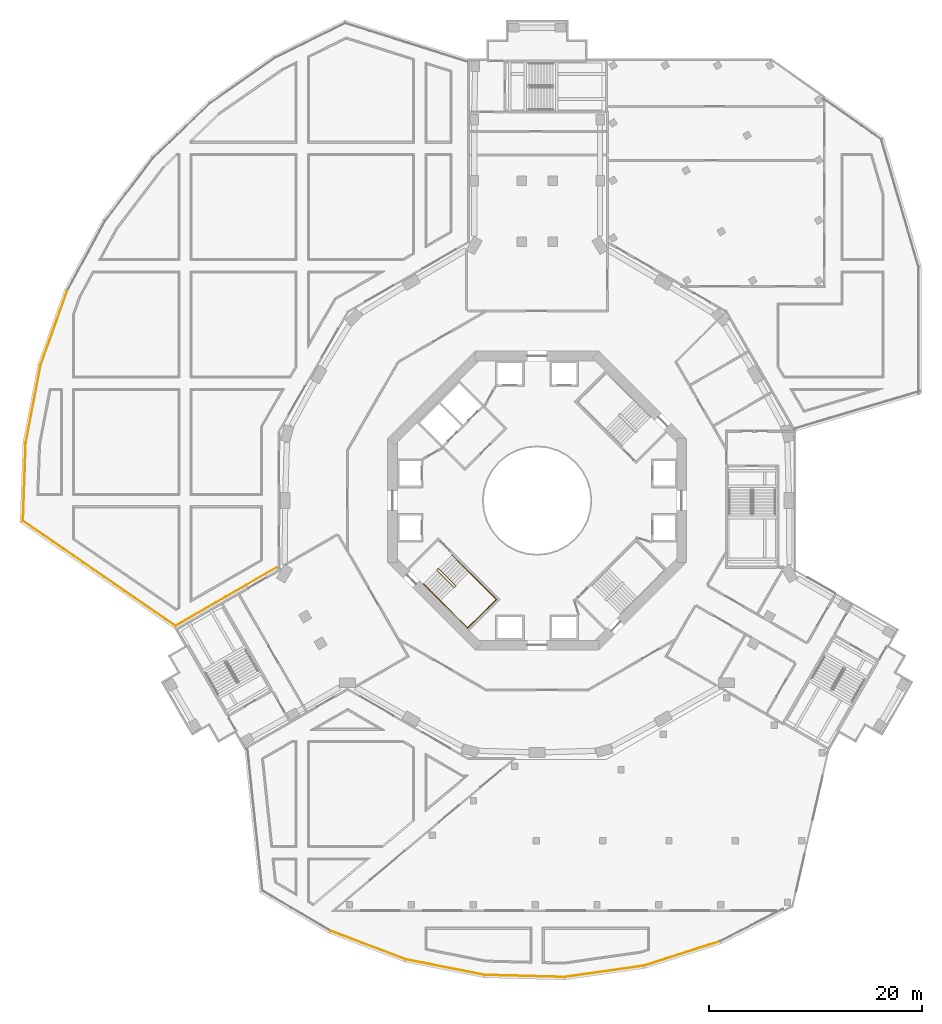
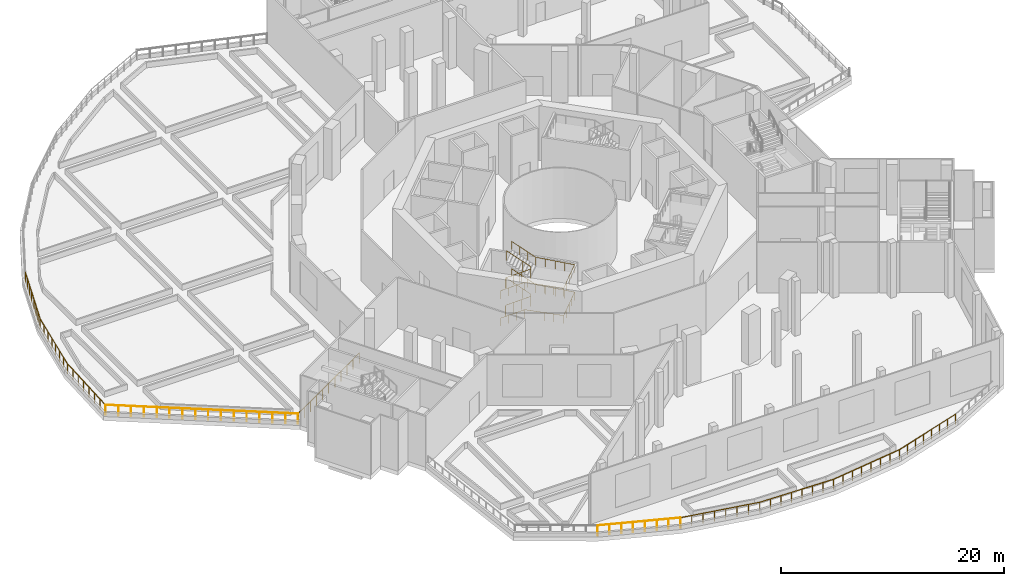
# One storey, part 24 of 29: 13 railings.
"""IFC4 building model written with IfcOpenShell, lengths in metres."""

import ifcopenshell
import ifcopenshell.guid

model = None  # the IFC model being written
_history = None  # IfcOwnerHistory: only IFC2X3 demands one
_inside = {}  # id of a spatial element -> (the spatial element, [elements in it])
_under = {}  # id of a project, library or spatial element -> (it, [spatial elements below it])
_declared = {}  # id of a project -> (the project, [libraries it declares])
_typed = {}  # id of a type object -> (the type object, [elements of that type])
_made_of = {}  # id of a material, layer set ... -> (it, [elements and type objects made of it])


def new_model(schema):
    """Start an empty IFC model of exactly this schema.

    Asked for "IFC4X3", IfcOpenShell would pick the latest addendum, in which some entities
    have other attributes; the version numbers below select the first issue.
    IFC2X3 requires an IfcOwnerHistory on every rooted entity: one is made here for all.
    """
    global model, _history
    if schema == "IFC4X3":
        model = ifcopenshell.file(schema_version=(4, 3, 0, 0))
    else:
        model = ifcopenshell.file(schema=schema)
    _inside.clear()
    _under.clear()
    _declared.clear()
    _typed.clear()
    _made_of.clear()
    _history = None
    if model.schema == "IFC2X3":
        org = make("IfcOrganization", Name="unknown")
        user = make(
            "IfcPersonAndOrganization",
            ThePerson=make("IfcPerson", FamilyName="unknown"),
            TheOrganization=org,
        )
        app = make(
            "IfcApplication",
            ApplicationDeveloper=org,
            Version="unknown",
            ApplicationFullName="unknown",
            ApplicationIdentifier="unknown",
        )
        _history = make(
            "IfcOwnerHistory",
            OwningUser=user,
            OwningApplication=app,
            ChangeAction="ADDED",
            CreationDate=0,
        )
    return model


def make(cls, **values):
    """One entity of the class cls with the attributes given. An attribute that is None is left unset."""
    return model.create_entity(
        cls, **{name: value for name, value in values.items() if value is not None}
    )


def rooted(cls, **values):
    """An entity with a GlobalId (a new one), such as an element, a storey or a relation."""
    return make(cls, GlobalId=ifcopenshell.guid.new(), OwnerHistory=_history, **values)


def si_unit(unit_type, name, prefix=None):
    """IfcSIUnit, for example si_unit("LENGTHUNIT", "METRE", prefix="MILLI")."""
    return make("IfcSIUnit", UnitType=unit_type, Prefix=prefix, Name=name)


def assignment(units):
    """IfcUnitAssignment: the units of a project."""
    return None if units is None else make("IfcUnitAssignment", Units=units)


def point(xyz):
    """IfcCartesianPoint."""
    return None if xyz is None else make("IfcCartesianPoint", Coordinates=xyz)


def direction(xyz):
    """IfcDirection."""
    return None if xyz is None else make("IfcDirection", DirectionRatios=xyz)


def frame(location, z_axis=None, x_axis=None):
    """IfcAxis2Placement3D, a coordinate frame: its origin and axes. An axis left out is left unset."""
    return make(
        "IfcAxis2Placement3D",
        Location=point(location),
        Axis=direction(z_axis),
        RefDirection=direction(x_axis),
    )


def frame_2d(location, x_axis=None):
    """IfcAxis2Placement2D, a coordinate frame in the plane: its origin and x axis."""
    return make(
        "IfcAxis2Placement2D", Location=point(location), RefDirection=direction(x_axis)
    )


def origin():
    """The frame at (0, 0, 0) with its axes left unset."""
    return frame((0.0, 0.0, 0.0))


def origin_2d():
    """The frame at (0, 0) in the plane with its x axis left unset."""
    return frame_2d((0.0, 0.0))


def place(relative_to, where):
    """IfcLocalPlacement: puts the frame where relative to a parent placement (None: the world)."""
    return make(
        "IfcLocalPlacement", PlacementRelTo=relative_to, RelativePlacement=where
    )


def context(
    kind, dimensions, precision=None, world=None, true_north=None, identifier=None
):
    """IfcGeometricRepresentationContext, for example the 3D "Model" context."""
    return make(
        "IfcGeometricRepresentationContext",
        ContextIdentifier=identifier,
        ContextType=kind,
        CoordinateSpaceDimension=dimensions,
        Precision=precision,
        WorldCoordinateSystem=world,
        TrueNorth=true_north,
    )


def subcontext(parent, identifier, kind, view, scale=None):
    """IfcGeometricRepresentationSubContext, for example "Body" below "Model"."""
    return make(
        "IfcGeometricRepresentationSubContext",
        ContextIdentifier=identifier,
        ContextType=kind,
        ParentContext=parent,
        TargetScale=scale,
        TargetView=view,
    )


def project(units=None, contexts=None):
    """IfcProject with its units and contexts."""
    return rooted(
        "IfcProject",
        Name="project",
        RepresentationContexts=contexts,
        UnitsInContext=assignment(units),
    )


def spatial(cls, under=None, at=None, **own):
    """A site, building, storey or space (cls), placed at a placement, below another one or the project."""
    s = rooted(cls, ObjectPlacement=at, **own)
    if under is not None:
        _under.setdefault(under.id(), (under, []))[1].append(s)
    return s


def profile(cls, at=None, kind="AREA", **sizes):
    """A parametric profile (cls). Its sizes go by their IFC names, for example OverallWidth=200.0."""
    return make(cls, ProfileType=kind, Position=at, **sizes)


def circle(**sizes):
    """IfcCircleProfileDef."""
    return profile("IfcCircleProfileDef", **sizes)


def extrude(swept, where, along, depth):
    """IfcExtrudedAreaSolid: the profile swept, set in the frame where, extruded along a direction by depth."""
    return make(
        "IfcExtrudedAreaSolid",
        SweptArea=swept,
        Position=where,
        ExtrudedDirection=direction(along),
        Depth=depth,
    )


def shape(context_of_items, identifier, shape_type, items):
    """IfcShapeRepresentation: the items that make up one representation, for example the "Body"."""
    return make(
        "IfcShapeRepresentation",
        ContextOfItems=context_of_items,
        RepresentationIdentifier=identifier,
        RepresentationType=shape_type,
        Items=items,
    )


def material(Name=None, Category=None):
    """IfcMaterial."""
    return make("IfcMaterial", Name=Name, Category=Category)


def made_of(thing, what):
    """Note that an element or type object is made of a material, layer set ...; save() writes the relation."""
    if what is not None:
        _made_of.setdefault(what.id(), (what, []))[1].append(thing)
    return thing


def type_object(cls, material=None, **own):
    """A type object (cls), such as IfcWallType, which elements share."""
    return made_of(rooted(cls, **own), material)


def element(
    cls,
    number,
    at=None,
    inside=None,
    cuts=None,
    type_object=None,
    material=None,
    context=None,
    identifier="Body",
    shape_type=None,
    held_by="IfcProductDefinitionShape",
    body=None,
    shapes=None,
    **own,
):
    """One element of the class cls, such as IfcWall. Its Tag is "e" and its number.

    at: its placement. inside: the storey or other place that contains it. cuts: it is an
    opening in that element (IfcRelVoidsElement). A single representation is given by context,
    identifier, shape_type and body (its items); several are given by shapes. held_by: the class
    of the entity that holds the representations. save() writes the other relations.
    """
    e = rooted(cls, Tag="e%d" % number, ObjectPlacement=at, **own)
    if body is not None:
        shapes = [shape(context, identifier, shape_type, body)]
    if shapes is not None:
        e.Representation = make(held_by, Representations=shapes)
    if inside is not None:
        _inside.setdefault(inside.id(), (inside, []))[1].append(e)
    if cuts is not None:
        rooted(
            "IfcRelVoidsElement", RelatingBuildingElement=cuts, RelatedOpeningElement=e
        )
    if type_object is not None:
        _typed.setdefault(type_object.id(), (type_object, []))[1].append(e)
    return made_of(e, material)


def aggregate(whole, parts):
    """IfcRelAggregates: a whole, such as a stair, and the parts it consists of."""
    return rooted("IfcRelAggregates", RelatingObject=whole, RelatedObjects=parts)


def save(model, path):
    """Write the relations noted so far, then the file.

    IfcRelAggregates (storeys below a building ...), IfcRelContainedInSpatialStructure (elements
    in a storey), IfcRelDefinesByType, IfcRelAssociatesMaterial and IfcRelDeclares: one each for
    every whole, place, type object, material and project.
    """
    for whole, parts in _under.values():
        aggregate(whole, parts)
    for where, things in _inside.values():
        rooted(
            "IfcRelContainedInSpatialStructure",
            RelatedElements=things,
            RelatingStructure=where,
        )
    for kind, things in _typed.values():
        rooted("IfcRelDefinesByType", RelatedObjects=things, RelatingType=kind)
    for what, things in _made_of.values():
        rooted("IfcRelAssociatesMaterial", RelatedObjects=things, RelatingMaterial=what)
    for by, libraries in _declared.values():
        rooted("IfcRelDeclares", RelatingContext=by, RelatedDefinitions=libraries)
    model.write(path)


model = new_model("IFC4")

# Units and contexts
model_context = context("Model", 3, precision=1e-05, world=origin(), true_north=direction((0.0, 1.0)))
body_context = subcontext(model_context, "Body", "Model", "MODEL_VIEW")
ifc_project = project(units=[si_unit("LENGTHUNIT", "METRE"), si_unit("AREAUNIT", "SQUARE_METRE"), si_unit("VOLUMEUNIT", "CUBIC_METRE"), si_unit("PLANEANGLEUNIT", "RADIAN"), si_unit("MASSUNIT", "GRAM", prefix="KILO")], contexts=[model_context])

# Site, building, storey
site_placement = place(None, origin())
site = spatial("IfcSite", under=ifc_project, at=site_placement, CompositionType="ELEMENT")
building_placement = place(site_placement, origin())
building = spatial("IfcBuilding", under=site, at=building_placement, Name="Verdalira Terraces Hotel", CompositionType="ELEMENT")
storey_placement = place(building_placement, frame((0.0, 0.0, 8.0)))
storey = spatial("IfcBuildingStorey", under=building, at=storey_placement, Name="L01", CompositionType="ELEMENT", Elevation=8.0)

# Railings
ifc_material_1 = material(Name="Stainless steel", Category="steel")
railing_type_1 = type_object("IfcRailingType", Name="Stair guard 1100", PredefinedType="GUARDRAIL", material=ifc_material_1)
railing_1_placement = place(storey_placement, frame((-9.369141, -6.469971, 0.0)))
element("IfcRailing", 1, at=railing_1_placement, inside=storey, type_object=railing_type_1, Name="L01 ST2 stair guard 1", PredefinedType="GUARDRAIL", context=body_context, shape_type="SweptSolid", body=[
    extrude(circle(Radius=0.023926, at=origin_2d()), frame((0.0, 0.0, 1.076172), z_axis=(0.70832698, 0.705884473, 0.0), x_axis=(-0.705884473, 0.70832698, 0.0)), (0.0, 0.0, 1.0), 0.099854),
    extrude(circle(Radius=0.023926, at=origin_2d()), frame((0.070801, 0.070557, 1.076172), z_axis=(-0.308122069, -0.615181649, 0.725680598), x_axis=(0.894118129, -0.447831187, 0.0)), (0.0, 0.0, 1.0), 0.229736),
    extrude(circle(Radius=0.023926, at=origin_2d()), frame((0.0, -0.070801, 1.242676), z_axis=(0.607628069, -0.607628069, 0.511445266), x_axis=(0.707106781, 0.707106781, 0.0)), (0.0, 0.0, 1.0), 2.606934),
    extrude(circle(Radius=0.023926, at=origin_2d()), frame((1.583984, -1.654785, 2.576172), z_axis=(1.0, 0.0, 0.0), x_axis=(0.0, 1.0, 0.0)), (0.0, 0.0, 1.0), 0.070557),
    extrude(circle(Radius=0.023926, at=origin_2d()), frame((1.654541, -1.654785, 2.576172), z_axis=(0.707106781, 0.707106781, 0.0), x_axis=(-0.707106781, 0.707106781, 0.0)), (0.0, 0.0, 1.0), 0.100098),
    extrude(circle(Radius=0.023926, at=origin_2d()), frame((1.725342, -1.583984, 2.576172), z_axis=(0.0, 0.390826706, 0.920464277), x_axis=(-1.0, 0.0, 0.0)), (0.0, 0.0, 1.0), 0.181152),
    extrude(circle(Radius=0.023926, at=origin_2d()), frame((1.725342, -1.513184, 2.742676), z_axis=(-0.607662647, 0.607568988, 0.511474371), x_axis=(-0.707052281, -0.707161277, 0.0)), (0.0, 0.0, 1.0), 2.606689),
    extrude(circle(Radius=0.023926, at=origin_2d()), frame((0.141357, 0.070557, 4.076172), z_axis=(-1.0, 0.0, 0.0), x_axis=(0.0, -1.0, 0.0)), (0.0, 0.0, 1.0), 0.070557),
    extrude(circle(Radius=0.023926, at=origin_2d()), frame((0.070801, 0.070557, 4.076172), z_axis=(-0.70832698, -0.705884473, 0.0), x_axis=(0.705884473, -0.70832698, 0.0)), (0.0, 0.0, 1.0), 0.099854),
    extrude(circle(Radius=0.023926, at=origin_2d()), frame((0.0, 0.0, 4.076172), z_axis=(0.0, -0.390826706, 0.920464277), x_axis=(1.0, 0.0, 0.0)), (0.0, 0.0, 1.0), 0.181152),
    extrude(circle(Radius=0.023926, at=origin_2d()), frame((0.0, -0.070801, 4.242676), z_axis=(0.607628069, -0.607628069, 0.511445266), x_axis=(0.707106781, 0.707106781, 0.0)), (0.0, 0.0, 1.0), 2.606934),
    extrude(circle(Radius=0.023926, at=origin_2d()), frame((1.583984, -1.654785, 5.576172), z_axis=(1.0, 0.0, 0.0), x_axis=(0.0, 1.0, 0.0)), (0.0, 0.0, 1.0), 0.070557),
    extrude(circle(Radius=0.023926, at=origin_2d()), frame((1.654541, -1.654785, 5.576172), z_axis=(0.707106781, 0.707106781, 0.0), x_axis=(-0.707106781, 0.707106781, 0.0)), (0.0, 0.0, 1.0), 0.100098),
    extrude(circle(Radius=0.023926, at=origin_2d()), frame((1.725342, -1.583984, 5.576172), z_axis=(0.0, 0.390826706, 0.920464277), x_axis=(-1.0, 0.0, 0.0)), (0.0, 0.0, 1.0), 0.181152),
    extrude(circle(Radius=0.023926, at=origin_2d()), frame((1.725342, -1.513184, 5.742676), z_axis=(-0.607662647, 0.607568988, 0.511474371), x_axis=(-0.707052281, -0.707161277, 0.0)), (0.0, 0.0, 1.0), 2.606689),
    extrude(circle(Radius=0.020996, at=origin_2d()), origin(), (0.0, 0.0, 1.0), 1.052002),
    extrude(circle(Radius=0.020996, at=origin_2d()), frame((0.070801, 0.070557, 0.0)), (0.0, 0.0, 1.0), 1.052002),
    extrude(circle(Radius=0.020996, at=origin_2d()), frame((0.0, -0.070801, 0.166748)), (0.0, 0.0, 1.0), 1.052002),
    extrude(circle(Radius=0.020996, at=origin_2d()), frame((0.528076, -0.598877, 0.611084)), (0.0, 0.0, 1.0), 1.052002),
    extrude(circle(Radius=0.020996, at=origin_2d()), frame((1.055908, -1.126709, 1.055664)), (0.0, 0.0, 1.0), 1.052002),
    extrude(circle(Radius=0.020996, at=origin_2d()), frame((1.583984, -1.654785, 1.5)), (0.0, 0.0, 1.0), 1.052002),
    extrude(circle(Radius=0.020996, at=origin_2d()), frame((1.654541, -1.654785, 1.5)), (0.0, 0.0, 1.0), 1.052002),
    extrude(circle(Radius=0.020996, at=origin_2d()), frame((1.725342, -1.583984, 1.5)), (0.0, 0.0, 1.0), 1.052002),
    extrude(circle(Radius=0.020996, at=origin_2d()), frame((1.725342, -1.513184, 1.666748)), (0.0, 0.0, 1.0), 1.052002),
    extrude(circle(Radius=0.020996, at=origin_2d()), frame((1.197266, -0.985352, 2.111084)), (0.0, 0.0, 1.0), 1.052002),
    extrude(circle(Radius=0.020996, at=origin_2d()), frame((0.669434, -0.457275, 2.555664)), (0.0, 0.0, 1.0), 1.052002),
    extrude(circle(Radius=0.020996, at=origin_2d()), frame((0.141357, 0.070557, 3.0)), (0.0, 0.0, 1.0), 1.052002),
    extrude(circle(Radius=0.020996, at=origin_2d()), frame((0.070801, 0.070557, 3.0)), (0.0, 0.0, 1.0), 1.052002),
    extrude(circle(Radius=0.020996, at=origin_2d()), frame((0.0, 0.0, 3.0)), (0.0, 0.0, 1.0), 1.052002),
    extrude(circle(Radius=0.020996, at=origin_2d()), frame((0.0, -0.070801, 3.166748)), (0.0, 0.0, 1.0), 1.052002),
    extrude(circle(Radius=0.020996, at=origin_2d()), frame((0.528076, -0.598877, 3.611084)), (0.0, 0.0, 1.0), 1.052002),
    extrude(circle(Radius=0.020996, at=origin_2d()), frame((1.055908, -1.126709, 4.055664)), (0.0, 0.0, 1.0), 1.052002),
    extrude(circle(Radius=0.020996, at=origin_2d()), frame((1.583984, -1.654785, 4.5)), (0.0, 0.0, 1.0), 1.052002),
    extrude(circle(Radius=0.020996, at=origin_2d()), frame((1.654541, -1.654785, 4.5)), (0.0, 0.0, 1.0), 1.052002),
    extrude(circle(Radius=0.020996, at=origin_2d()), frame((1.725342, -1.583984, 4.5)), (0.0, 0.0, 1.0), 1.052002),
    extrude(circle(Radius=0.020996, at=origin_2d()), frame((1.725342, -1.513184, 4.666748)), (0.0, 0.0, 1.0), 1.052002),
    extrude(circle(Radius=0.020996, at=origin_2d()), frame((1.197266, -0.985352, 5.111084)), (0.0, 0.0, 1.0), 1.052002),
    extrude(circle(Radius=0.020996, at=origin_2d()), frame((0.669434, -0.457275, 5.555664)), (0.0, 0.0, 1.0), 1.052002),
    extrude(circle(Radius=0.020996, at=origin_2d()), frame((0.141357, 0.070557, 6.0)), (0.0, 0.0, 1.0), 1.052002),
])
ifc_material_2 = material(Name="Stainless steel", Category="steel")
railing_type_2 = type_object("IfcRailingType", Name="Stair handrail 900", PredefinedType="HANDRAIL", material=ifc_material_2)
railing_2_placement = place(storey_placement, frame((-10.641846, -7.813477, 0.166748)))
element("IfcRailing", 2, at=railing_2_placement, inside=storey, type_object=railing_type_2, Name="L01 ST2 stair handrail 1", PredefinedType="HANDRAIL", context=body_context, shape_type="SweptSolid", body=[
    extrude(circle(Radius=0.023926, at=origin_2d()), frame((0.0, 0.0, 0.875977), z_axis=(0.607568988, -0.607662647, 0.511474371), x_axis=(0.707161277, 0.707052281, 0.0)), (0.0, 0.0, 1.0), 2.606689),
    extrude(circle(Radius=0.023926, at=origin_2d()), frame((1.58374, -1.583984, 2.208984), z_axis=(0.707106781, -0.707106781, 0.0), x_axis=(0.707106781, 0.707106781, 0.0)), (0.0, 0.0, 1.0), 3.610107),
    extrude(circle(Radius=0.023926, at=origin_2d()), frame((4.136475, -4.136719, 2.208984), z_axis=(0.707106781, 0.707106781, 0.0), x_axis=(-0.707106781, 0.707106781, 0.0)), (0.0, 0.0, 1.0), 3.800049),
    extrude(circle(Radius=0.023926, at=origin_2d()), frame((6.823486, -1.449707, 2.208984), z_axis=(-0.706353701, 0.706353701, 0.046139975), x_axis=(-0.707106781, -0.707106781, 0.0)), (0.0, 0.0, 1.0), 3.614014),
    extrude(circle(Radius=0.023926, at=origin_2d()), frame((4.270752, 1.103027, 2.375977), z_axis=(-0.607568988, 0.607662647, 0.511474371), x_axis=(-0.707161277, -0.707052281, 0.0)), (0.0, 0.0, 1.0), 2.606689),
    extrude(circle(Radius=0.020996, at=origin_2d()), origin(), (0.0, 0.0, 1.0), 0.851807),
    extrude(circle(Radius=0.020996, at=origin_2d()), frame((0.527832, -0.528076, 0.444336)), (0.0, 0.0, 1.0), 0.851807),
    extrude(circle(Radius=0.020996, at=origin_2d()), frame((1.055908, -1.055908, 0.888916)), (0.0, 0.0, 1.0), 0.851807),
    extrude(circle(Radius=0.020996, at=origin_2d()), frame((1.58374, -1.583984, 1.333252)), (0.0, 0.0, 1.0), 0.851807),
    extrude(circle(Radius=0.020996, at=origin_2d()), frame((2.221924, -2.222168, 1.333252)), (0.0, 0.0, 1.0), 0.851807),
    extrude(circle(Radius=0.020996, at=origin_2d()), frame((2.860107, -2.860352, 1.333252)), (0.0, 0.0, 1.0), 0.851807),
    extrude(circle(Radius=0.020996, at=origin_2d()), frame((3.498291, -3.498535, 1.333252)), (0.0, 0.0, 1.0), 0.851807),
    extrude(circle(Radius=0.020996, at=origin_2d()), frame((4.136475, -4.136719, 1.333252)), (0.0, 0.0, 1.0), 0.851807),
    extrude(circle(Radius=0.020996, at=origin_2d()), frame((4.808105, -3.464844, 1.333252)), (0.0, 0.0, 1.0), 0.851807),
    extrude(circle(Radius=0.020996, at=origin_2d()), frame((5.47998, -2.793213, 1.333252)), (0.0, 0.0, 1.0), 0.851807),
    extrude(circle(Radius=0.020996, at=origin_2d()), frame((6.151855, -2.121582, 1.333252)), (0.0, 0.0, 1.0), 0.851807),
    extrude(circle(Radius=0.020996, at=origin_2d()), frame((6.823486, -1.449707, 1.333252)), (0.0, 0.0, 1.0), 0.851807),
    extrude(circle(Radius=0.020996, at=origin_2d()), frame((6.185303, -0.811523, 1.375)), (0.0, 0.0, 1.0), 0.851807),
    extrude(circle(Radius=0.020996, at=origin_2d()), frame((5.547119, -0.17334, 1.416504)), (0.0, 0.0, 1.0), 0.851807),
    extrude(circle(Radius=0.020996, at=origin_2d()), frame((4.908936, 0.464844, 1.458252)), (0.0, 0.0, 1.0), 0.851807),
    extrude(circle(Radius=0.020996, at=origin_2d()), frame((4.270752, 1.103027, 1.5)), (0.0, 0.0, 1.0), 0.851807),
    extrude(circle(Radius=0.020996, at=origin_2d()), frame((3.74292, 1.631104, 1.944336)), (0.0, 0.0, 1.0), 0.851807),
    extrude(circle(Radius=0.020996, at=origin_2d()), frame((3.214844, 2.158936, 2.388916)), (0.0, 0.0, 1.0), 0.851807),
    extrude(circle(Radius=0.020996, at=origin_2d()), frame((2.687012, 2.687012, 2.833252)), (0.0, 0.0, 1.0), 0.851807),
])
railing_3_placement = place(storey_placement, frame((-10.641846, -7.813477, 3.166748)))
element("IfcRailing", 3, at=railing_3_placement, inside=storey, type_object=railing_type_2, Name="L01 ST2 stair handrail 2", PredefinedType="HANDRAIL", context=body_context, shape_type="SweptSolid", body=[
    extrude(circle(Radius=0.023926, at=origin_2d()), frame((0.0, 0.0, 0.875977), z_axis=(0.607568988, -0.607662647, 0.511474371), x_axis=(0.707161277, 0.707052281, 0.0)), (0.0, 0.0, 1.0), 2.606689),
    extrude(circle(Radius=0.023926, at=origin_2d()), frame((1.58374, -1.583984, 2.208984), z_axis=(0.707106781, -0.707106781, 0.0), x_axis=(0.707106781, 0.707106781, 0.0)), (0.0, 0.0, 1.0), 3.610107),
    extrude(circle(Radius=0.023926, at=origin_2d()), frame((4.136475, -4.136719, 2.208984), z_axis=(0.707106781, 0.707106781, 0.0), x_axis=(-0.707106781, 0.707106781, 0.0)), (0.0, 0.0, 1.0), 3.800049),
    extrude(circle(Radius=0.023926, at=origin_2d()), frame((6.823486, -1.449707, 2.208984), z_axis=(-0.706353701, 0.706353701, 0.046139975), x_axis=(-0.707106781, -0.707106781, 0.0)), (0.0, 0.0, 1.0), 3.614014),
    extrude(circle(Radius=0.023926, at=origin_2d()), frame((4.270752, 1.103027, 2.375977), z_axis=(-0.607568988, 0.607662647, 0.511474371), x_axis=(-0.707161277, -0.707052281, 0.0)), (0.0, 0.0, 1.0), 2.606689),
    extrude(circle(Radius=0.020996, at=origin_2d()), origin(), (0.0, 0.0, 1.0), 0.851807),
    extrude(circle(Radius=0.020996, at=origin_2d()), frame((0.527832, -0.528076, 0.444336)), (0.0, 0.0, 1.0), 0.851807),
    extrude(circle(Radius=0.020996, at=origin_2d()), frame((1.055908, -1.055908, 0.888916)), (0.0, 0.0, 1.0), 0.851807),
    extrude(circle(Radius=0.020996, at=origin_2d()), frame((1.58374, -1.583984, 1.333252)), (0.0, 0.0, 1.0), 0.851807),
    extrude(circle(Radius=0.020996, at=origin_2d()), frame((2.221924, -2.222168, 1.333252)), (0.0, 0.0, 1.0), 0.851807),
    extrude(circle(Radius=0.020996, at=origin_2d()), frame((2.860107, -2.860352, 1.333252)), (0.0, 0.0, 1.0), 0.851807),
    extrude(circle(Radius=0.020996, at=origin_2d()), frame((3.498291, -3.498535, 1.333252)), (0.0, 0.0, 1.0), 0.851807),
    extrude(circle(Radius=0.020996, at=origin_2d()), frame((4.136475, -4.136719, 1.333252)), (0.0, 0.0, 1.0), 0.851807),
    extrude(circle(Radius=0.020996, at=origin_2d()), frame((4.808105, -3.464844, 1.333252)), (0.0, 0.0, 1.0), 0.851807),
    extrude(circle(Radius=0.020996, at=origin_2d()), frame((5.47998, -2.793213, 1.333252)), (0.0, 0.0, 1.0), 0.851807),
    extrude(circle(Radius=0.020996, at=origin_2d()), frame((6.151855, -2.121582, 1.333252)), (0.0, 0.0, 1.0), 0.851807),
    extrude(circle(Radius=0.020996, at=origin_2d()), frame((6.823486, -1.449707, 1.333252)), (0.0, 0.0, 1.0), 0.851807),
    extrude(circle(Radius=0.020996, at=origin_2d()), frame((6.185303, -0.811523, 1.375)), (0.0, 0.0, 1.0), 0.851807),
    extrude(circle(Radius=0.020996, at=origin_2d()), frame((5.547119, -0.17334, 1.416504)), (0.0, 0.0, 1.0), 0.851807),
    extrude(circle(Radius=0.020996, at=origin_2d()), frame((4.908936, 0.464844, 1.458252)), (0.0, 0.0, 1.0), 0.851807),
    extrude(circle(Radius=0.020996, at=origin_2d()), frame((4.270752, 1.103027, 1.5)), (0.0, 0.0, 1.0), 0.851807),
    extrude(circle(Radius=0.020996, at=origin_2d()), frame((3.74292, 1.631104, 1.944336)), (0.0, 0.0, 1.0), 0.851807),
    extrude(circle(Radius=0.020996, at=origin_2d()), frame((3.214844, 2.158936, 2.388916)), (0.0, 0.0, 1.0), 0.851807),
    extrude(circle(Radius=0.020996, at=origin_2d()), frame((2.687012, 2.687012, 2.833252)), (0.0, 0.0, 1.0), 0.851807),
])
ifc_material_3 = material(Name="Clear laminated glass", Category="glass")
railing_type_3 = type_object("IfcRailingType", Name="Terrace glass guard 1120", PredefinedType="GUARDRAIL", material=ifc_material_3)
railing_4_placement = place(storey_placement, frame((-44.0271, 19.664795, 0.0)))
element("IfcRailing", 4, at=railing_4_placement, inside=storey, type_object=railing_type_3, Name="Terrace guard", PredefinedType="GUARDRAIL", context=body_context, shape_type="SweptSolid", body=[
    extrude(circle(Radius=0.023926, at=origin_2d()), frame((0.0, 0.0, 1.096191), z_axis=(-0.336325979, -0.941745632, 0.0), x_axis=(0.941745632, -0.336325979, 0.0)), (0.0, 0.0, 1.0), 7.422363),
    extrude(circle(Radius=0.020996, at=origin_2d()), origin(), (0.0, 0.0, 1.0), 1.072021),
    extrude(circle(Radius=0.020996, at=origin_2d()), frame((-0.356689, -0.998535, 0.0)), (0.0, 0.0, 1.0), 1.072021),
    extrude(circle(Radius=0.020996, at=origin_2d()), frame((-0.713135, -1.99707, 0.0)), (0.0, 0.0, 1.0), 1.072021),
    extrude(circle(Radius=0.020996, at=origin_2d()), frame((-1.069824, -2.995605, 0.0)), (0.0, 0.0, 1.0), 1.072021),
    extrude(circle(Radius=0.020996, at=origin_2d()), frame((-1.426514, -3.994385, 0.0)), (0.0, 0.0, 1.0), 1.072021),
    extrude(circle(Radius=0.020996, at=origin_2d()), frame((-1.783203, -4.99292, 0.0)), (0.0, 0.0, 1.0), 1.072021),
    extrude(circle(Radius=0.020996, at=origin_2d()), frame((-2.139648, -5.991455, 0.0)), (0.0, 0.0, 1.0), 1.072021),
    extrude(circle(Radius=0.020996, at=origin_2d()), frame((-2.496338, -6.98999, 0.0)), (0.0, 0.0, 1.0), 1.072021),
])
railing_5_placement = place(storey_placement, frame((-46.523438, 12.674805, 0.0)))
element("IfcRailing", 5, at=railing_5_placement, inside=storey, type_object=railing_type_3, Name="Terrace guard", PredefinedType="GUARDRAIL", context=body_context, shape_type="SweptSolid", body=[
    extrude(circle(Radius=0.023926, at=origin_2d()), frame((0.0, 0.0, 1.096191), z_axis=(-0.187810339, -0.982205313, 0.0), x_axis=(0.982205313, -0.187810339, 0.0)), (0.0, 0.0, 1.0), 7.422607),
    extrude(circle(Radius=0.020996, at=origin_2d()), origin(), (0.0, 0.0, 1.0), 1.072021),
    extrude(circle(Radius=0.020996, at=origin_2d()), frame((-0.199219, -1.041504, 0.0)), (0.0, 0.0, 1.0), 1.072021),
    extrude(circle(Radius=0.020996, at=origin_2d()), frame((-0.398193, -2.083008, 0.0)), (0.0, 0.0, 1.0), 1.072021),
    extrude(circle(Radius=0.020996, at=origin_2d()), frame((-0.597412, -3.124512, 0.0)), (0.0, 0.0, 1.0), 1.072021),
    extrude(circle(Radius=0.020996, at=origin_2d()), frame((-0.796631, -4.166016, 0.0)), (0.0, 0.0, 1.0), 1.072021),
    extrude(circle(Radius=0.020996, at=origin_2d()), frame((-0.99585, -5.20752, 0.0)), (0.0, 0.0, 1.0), 1.072021),
    extrude(circle(Radius=0.020996, at=origin_2d()), frame((-1.194824, -6.249023, 0.0)), (0.0, 0.0, 1.0), 1.072021),
    extrude(circle(Radius=0.020996, at=origin_2d()), frame((-1.394043, -7.290527, 0.0)), (0.0, 0.0, 1.0), 1.072021),
])
railing_6_placement = place(storey_placement, frame((-47.91748, 5.384277, 0.0)))
element("IfcRailing", 6, at=railing_6_placement, inside=storey, type_object=railing_type_3, Name="Terrace guard", PredefinedType="GUARDRAIL", context=body_context, shape_type="SweptSolid", body=[
    extrude(circle(Radius=0.023926, at=origin_2d()), frame((0.0, 0.0, 1.096191), z_axis=(-0.034859016, -0.99939224, 0.0), x_axis=(0.99939224, -0.034859016, 0.0)), (0.0, 0.0, 1.0), 7.290771),
    extrude(circle(Radius=0.020996, at=origin_2d()), origin(), (0.0, 0.0, 1.0), 1.072021),
    extrude(circle(Radius=0.020996, at=origin_2d()), frame((-0.036377, -1.041016, 0.0)), (0.0, 0.0, 1.0), 1.072021),
    extrude(circle(Radius=0.020996, at=origin_2d()), frame((-0.07251, -2.081787, 0.0)), (0.0, 0.0, 1.0), 1.072021),
    extrude(circle(Radius=0.020996, at=origin_2d()), frame((-0.108887, -3.122803, 0.0)), (0.0, 0.0, 1.0), 1.072021),
    extrude(circle(Radius=0.020996, at=origin_2d()), frame((-0.145264, -4.163574, 0.0)), (0.0, 0.0, 1.0), 1.072021),
    extrude(circle(Radius=0.020996, at=origin_2d()), frame((-0.181641, -5.20459, 0.0)), (0.0, 0.0, 1.0), 1.072021),
    extrude(circle(Radius=0.020996, at=origin_2d()), frame((-0.217773, -6.245361, 0.0)), (0.0, 0.0, 1.0), 1.072021),
    extrude(circle(Radius=0.020996, at=origin_2d()), frame((-0.25415, -7.286377, 0.0)), (0.0, 0.0, 1.0), 1.072021),
])
railing_7_placement = place(storey_placement, frame((-48.171631, -1.9021, 0.0)))
element("IfcRailing", 7, at=railing_7_placement, inside=storey, type_object=railing_type_3, Name="Terrace guard", PredefinedType="GUARDRAIL", context=body_context, shape_type="SweptSolid", body=[
    extrude(circle(Radius=0.023926, at=origin_2d()), frame((0.0, 0.0, 1.096191), z_axis=(0.823447808, -0.567392023, 0.0), x_axis=(0.567392023, 0.823447808, 0.0)), (0.0, 0.0, 1.0), 17.338867),
    extrude(circle(Radius=0.020996, at=origin_2d()), origin(), (0.0, 0.0, 1.0), 1.072021),
    extrude(circle(Radius=0.020996, at=origin_2d()), frame((0.951904, -0.655762, 0.0)), (0.0, 0.0, 1.0), 1.072021),
    extrude(circle(Radius=0.020996, at=origin_2d()), frame((1.903564, -1.311768, 0.0)), (0.0, 0.0, 1.0), 1.072021),
    extrude(circle(Radius=0.020996, at=origin_2d()), frame((2.855469, -1.967529, 0.0)), (0.0, 0.0, 1.0), 1.072021),
    extrude(circle(Radius=0.020996, at=origin_2d()), frame((3.807373, -2.623535, 0.0)), (0.0, 0.0, 1.0), 1.072021),
    extrude(circle(Radius=0.020996, at=origin_2d()), frame((4.759277, -3.279297, 0.0)), (0.0, 0.0, 1.0), 1.072021),
    extrude(circle(Radius=0.020996, at=origin_2d()), frame((5.710938, -3.935059, 0.0)), (0.0, 0.0, 1.0), 1.072021),
    extrude(circle(Radius=0.020996, at=origin_2d()), frame((6.662842, -4.591064, 0.0)), (0.0, 0.0, 1.0), 1.072021),
    extrude(circle(Radius=0.020996, at=origin_2d()), frame((7.614746, -5.246826, 0.0)), (0.0, 0.0, 1.0), 1.072021),
    extrude(circle(Radius=0.020996, at=origin_2d()), frame((8.56665, -5.902832, 0.0)), (0.0, 0.0, 1.0), 1.072021),
    extrude(circle(Radius=0.020996, at=origin_2d()), frame((9.518311, -6.558594, 0.0)), (0.0, 0.0, 1.0), 1.072021),
    extrude(circle(Radius=0.020996, at=origin_2d()), frame((10.470215, -7.214355, 0.0)), (0.0, 0.0, 1.0), 1.072021),
    extrude(circle(Radius=0.020996, at=origin_2d()), frame((11.422119, -7.870361, 0.0)), (0.0, 0.0, 1.0), 1.072021),
    extrude(circle(Radius=0.020996, at=origin_2d()), frame((12.374023, -8.526123, 0.0)), (0.0, 0.0, 1.0), 1.072021),
    extrude(circle(Radius=0.020996, at=origin_2d()), frame((13.325684, -9.182129, 0.0)), (0.0, 0.0, 1.0), 1.072021),
    extrude(circle(Radius=0.020996, at=origin_2d()), frame((14.277588, -9.837891, 0.0)), (0.0, 0.0, 1.0), 1.072021),
])
railing_8_placement = place(storey_placement, frame((-33.894043, -11.73999, 0.0)))
element("IfcRailing", 8, at=railing_8_placement, inside=storey, type_object=railing_type_3, Name="Terrace guard", PredefinedType="GUARDRAIL", context=body_context, shape_type="SweptSolid", body=[
    extrude(circle(Radius=0.023926, at=origin_2d()), frame((0.0, 0.0, 1.096191), z_axis=(0.866025777, 0.499999353, 0.0), x_axis=(-0.499999353, 0.866025777, 0.0)), (0.0, 0.0, 1.0), 10.964844),
    extrude(circle(Radius=0.020996, at=origin_2d()), origin(), (0.0, 0.0, 1.0), 1.072021),
    extrude(circle(Radius=0.020996, at=origin_2d()), frame((0.949707, 0.54834, 0.0)), (0.0, 0.0, 1.0), 1.072021),
    extrude(circle(Radius=0.020996, at=origin_2d()), frame((1.89917, 1.096436, 0.0)), (0.0, 0.0, 1.0), 1.072021),
    extrude(circle(Radius=0.020996, at=origin_2d()), frame((2.848633, 1.644775, 0.0)), (0.0, 0.0, 1.0), 1.072021),
    extrude(circle(Radius=0.020996, at=origin_2d()), frame((3.79834, 2.192871, 0.0)), (0.0, 0.0, 1.0), 1.072021),
    extrude(circle(Radius=0.020996, at=origin_2d()), frame((4.748047, 2.741211, 0.0)), (0.0, 0.0, 1.0), 1.072021),
    extrude(circle(Radius=0.020996, at=origin_2d()), frame((5.69751, 3.289551, 0.0)), (0.0, 0.0, 1.0), 1.072021),
    extrude(circle(Radius=0.020996, at=origin_2d()), frame((6.646973, 3.837646, 0.0)), (0.0, 0.0, 1.0), 1.072021),
    extrude(circle(Radius=0.020996, at=origin_2d()), frame((7.59668, 4.385986, 0.0)), (0.0, 0.0, 1.0), 1.072021),
    extrude(circle(Radius=0.020996, at=origin_2d()), frame((8.546387, 4.934082, 0.0)), (0.0, 0.0, 1.0), 1.072021),
    extrude(circle(Radius=0.020996, at=origin_2d()), frame((9.49585, 5.482422, 0.0)), (0.0, 0.0, 1.0), 1.072021),
])
railing_9_placement = place(storey_placement, frame((-19.356201, -40.312988, 0.0)))
element("IfcRailing", 9, at=railing_9_placement, inside=storey, type_object=railing_type_3, Name="Terrace guard", PredefinedType="GUARDRAIL", context=body_context, shape_type="SweptSolid", body=[
    extrude(circle(Radius=0.023926, at=origin_2d()), frame((0.0, 0.0, 1.096191), z_axis=(0.934677893, -0.35549576, 0.0), x_axis=(0.35549576, 0.934677893, 0.0)), (0.0, 0.0, 1.0), 7.52002),
    extrude(circle(Radius=0.020996, at=origin_2d()), origin(), (0.0, 0.0, 1.0), 1.072021),
    extrude(circle(Radius=0.020996, at=origin_2d()), frame((1.00415, -0.381836, 0.0)), (0.0, 0.0, 1.0), 1.072021),
    extrude(circle(Radius=0.020996, at=origin_2d()), frame((2.008301, -0.763916, 0.0)), (0.0, 0.0, 1.0), 1.072021),
    extrude(circle(Radius=0.020996, at=origin_2d()), frame((3.012451, -1.145752, 0.0)), (0.0, 0.0, 1.0), 1.072021),
    extrude(circle(Radius=0.020996, at=origin_2d()), frame((4.016357, -1.527588, 0.0)), (0.0, 0.0, 1.0), 1.072021),
    extrude(circle(Radius=0.020996, at=origin_2d()), frame((5.020508, -1.909424, 0.0)), (0.0, 0.0, 1.0), 1.072021),
    extrude(circle(Radius=0.020996, at=origin_2d()), frame((6.024658, -2.291504, 0.0)), (0.0, 0.0, 1.0), 1.072021),
    extrude(circle(Radius=0.020996, at=origin_2d()), frame((7.028809, -2.67334, 0.0)), (0.0, 0.0, 1.0), 1.072021),
])
railing_10_placement = place(storey_placement, frame((-12.327393, -42.986328, 0.0)))
element("IfcRailing", 10, at=railing_10_placement, inside=storey, type_object=railing_type_3, Name="Terrace guard", PredefinedType="GUARDRAIL", context=body_context, shape_type="SweptSolid", body=[
    extrude(circle(Radius=0.023926, at=origin_2d()), frame((0.0, 0.0, 1.096191), z_axis=(0.98103254, -0.193843122, 0.0), x_axis=(0.193843122, 0.98103254, 0.0)), (0.0, 0.0, 1.0), 7.520264),
    extrude(circle(Radius=0.020996, at=origin_2d()), origin(), (0.0, 0.0, 1.0), 1.072021),
    extrude(circle(Radius=0.020996, at=origin_2d()), frame((1.053955, -0.208252, 0.0)), (0.0, 0.0, 1.0), 1.072021),
    extrude(circle(Radius=0.020996, at=origin_2d()), frame((2.10791, -0.416504, 0.0)), (0.0, 0.0, 1.0), 1.072021),
    extrude(circle(Radius=0.020996, at=origin_2d()), frame((3.161865, -0.624756, 0.0)), (0.0, 0.0, 1.0), 1.072021),
    extrude(circle(Radius=0.020996, at=origin_2d()), frame((4.21582, -0.833008, 0.0)), (0.0, 0.0, 1.0), 1.072021),
    extrude(circle(Radius=0.020996, at=origin_2d()), frame((5.269775, -1.04126, 0.0)), (0.0, 0.0, 1.0), 1.072021),
    extrude(circle(Radius=0.020996, at=origin_2d()), frame((6.32373, -1.249512, 0.0)), (0.0, 0.0, 1.0), 1.072021),
    extrude(circle(Radius=0.020996, at=origin_2d()), frame((7.377686, -1.457764, 0.0)), (0.0, 0.0, 1.0), 1.072021),
])
railing_11_placement = place(storey_placement, frame((-4.949707, -44.444092, 0.0)))
element("IfcRailing", 11, at=railing_11_placement, inside=storey, type_object=railing_type_3, Name="Terrace guard", PredefinedType="GUARDRAIL", context=body_context, shape_type="SweptSolid", body=[
    extrude(circle(Radius=0.023926, at=origin_2d()), frame((0.0, 0.0, 1.096191), z_axis=(0.999642115, -0.026751489, 0.0), x_axis=(0.026751489, 0.999642115, 0.0)), (0.0, 0.0, 1.0), 7.52002),
    extrude(circle(Radius=0.020996, at=origin_2d()), origin(), (0.0, 0.0, 1.0), 1.072021),
    extrude(circle(Radius=0.020996, at=origin_2d()), frame((1.073975, -0.028809, 0.0)), (0.0, 0.0, 1.0), 1.072021),
    extrude(circle(Radius=0.020996, at=origin_2d()), frame((2.147705, -0.057373, 0.0)), (0.0, 0.0, 1.0), 1.072021),
    extrude(circle(Radius=0.020996, at=origin_2d()), frame((3.22168, -0.086182, 0.0)), (0.0, 0.0, 1.0), 1.072021),
    extrude(circle(Radius=0.020996, at=origin_2d()), frame((4.295654, -0.11499, 0.0)), (0.0, 0.0, 1.0), 1.072021),
    extrude(circle(Radius=0.020996, at=origin_2d()), frame((5.369629, -0.143799, 0.0)), (0.0, 0.0, 1.0), 1.072021),
    extrude(circle(Radius=0.020996, at=origin_2d()), frame((6.443359, -0.172363, 0.0)), (0.0, 0.0, 1.0), 1.072021),
    extrude(circle(Radius=0.020996, at=origin_2d()), frame((7.517334, -0.201172, 0.0)), (0.0, 0.0, 1.0), 1.072021),
])
railing_12_placement = place(storey_placement, frame((2.567627, -44.645264, 0.0)))
element("IfcRailing", 12, at=railing_12_placement, inside=storey, type_object=railing_type_3, Name="Terrace guard", PredefinedType="GUARDRAIL", context=body_context, shape_type="SweptSolid", body=[
    extrude(circle(Radius=0.023926, at=origin_2d()), frame((0.0, 0.0, 1.096191), z_axis=(0.989987118, 0.141157736, 0.0), x_axis=(-0.141157736, 0.989987118, 0.0)), (0.0, 0.0, 1.0), 7.52002),
    extrude(circle(Radius=0.020996, at=origin_2d()), origin(), (0.0, 0.0, 1.0), 1.072021),
    extrude(circle(Radius=0.020996, at=origin_2d()), frame((1.063477, 0.151611, 0.0)), (0.0, 0.0, 1.0), 1.072021),
    extrude(circle(Radius=0.020996, at=origin_2d()), frame((2.127197, 0.303223, 0.0)), (0.0, 0.0, 1.0), 1.072021),
    extrude(circle(Radius=0.020996, at=origin_2d()), frame((3.190674, 0.454834, 0.0)), (0.0, 0.0, 1.0), 1.072021),
    extrude(circle(Radius=0.020996, at=origin_2d()), frame((4.25415, 0.606689, 0.0)), (0.0, 0.0, 1.0), 1.072021),
    extrude(circle(Radius=0.020996, at=origin_2d()), frame((5.317627, 0.758301, 0.0)), (0.0, 0.0, 1.0), 1.072021),
    extrude(circle(Radius=0.020996, at=origin_2d()), frame((6.381348, 0.909912, 0.0)), (0.0, 0.0, 1.0), 1.072021),
    extrude(circle(Radius=0.020996, at=origin_2d()), frame((7.444824, 1.061523, 0.0)), (0.0, 0.0, 1.0), 1.072021),
])
railing_13_placement = place(storey_placement, frame((10.012451, -43.58374, 0.0)))
element("IfcRailing", 13, at=railing_13_placement, inside=storey, type_object=railing_type_3, Name="Terrace guard", PredefinedType="GUARDRAIL", context=body_context, shape_type="SweptSolid", body=[
    extrude(circle(Radius=0.023926, at=origin_2d()), frame((0.0, 0.0, 1.096191), z_axis=(0.952338163, 0.305044296, 0.0), x_axis=(-0.305044296, 0.952338163, 0.0)), (0.0, 0.0, 1.0), 7.52002),
    extrude(circle(Radius=0.020996, at=origin_2d()), origin(), (0.0, 0.0, 1.0), 1.072021),
    extrude(circle(Radius=0.020996, at=origin_2d()), frame((1.023193, 0.327637, 0.0)), (0.0, 0.0, 1.0), 1.072021),
    extrude(circle(Radius=0.020996, at=origin_2d()), frame((2.046143, 0.655518, 0.0)), (0.0, 0.0, 1.0), 1.072021),
    extrude(circle(Radius=0.020996, at=origin_2d()), frame((3.069336, 0.983154, 0.0)), (0.0, 0.0, 1.0), 1.072021),
    extrude(circle(Radius=0.020996, at=origin_2d()), frame((4.092285, 1.310791, 0.0)), (0.0, 0.0, 1.0), 1.072021),
    extrude(circle(Radius=0.020996, at=origin_2d()), frame((5.115479, 1.638428, 0.0)), (0.0, 0.0, 1.0), 1.072021),
    extrude(circle(Radius=0.020996, at=origin_2d()), frame((6.138428, 1.966309, 0.0)), (0.0, 0.0, 1.0), 1.072021),
    extrude(circle(Radius=0.020996, at=origin_2d()), frame((7.161621, 2.293945, 0.0)), (0.0, 0.0, 1.0), 1.072021),
])

save(model, "model.ifc")
